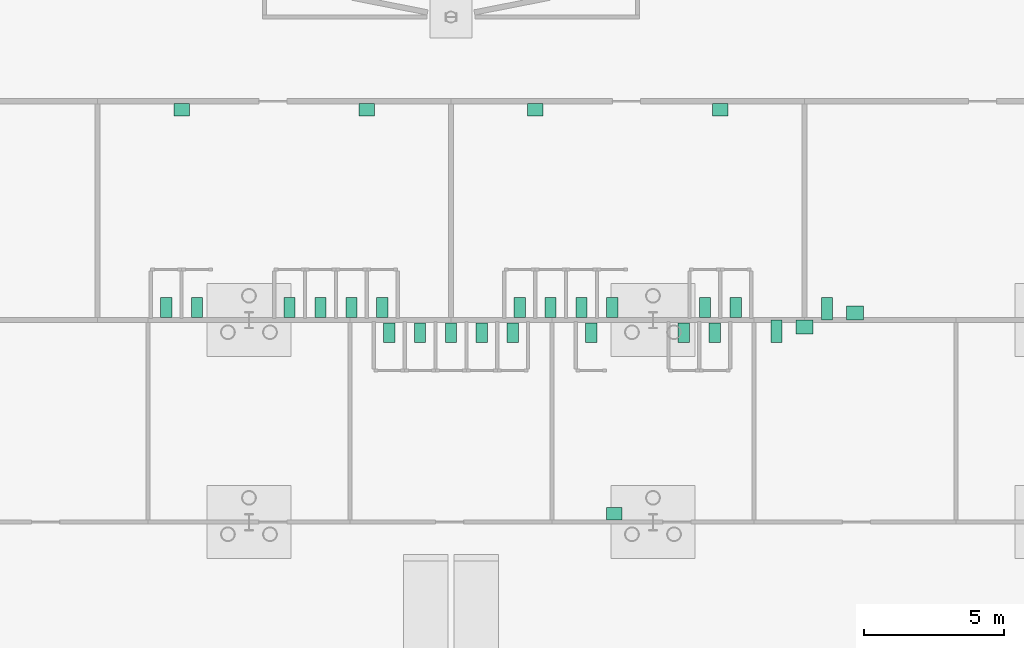
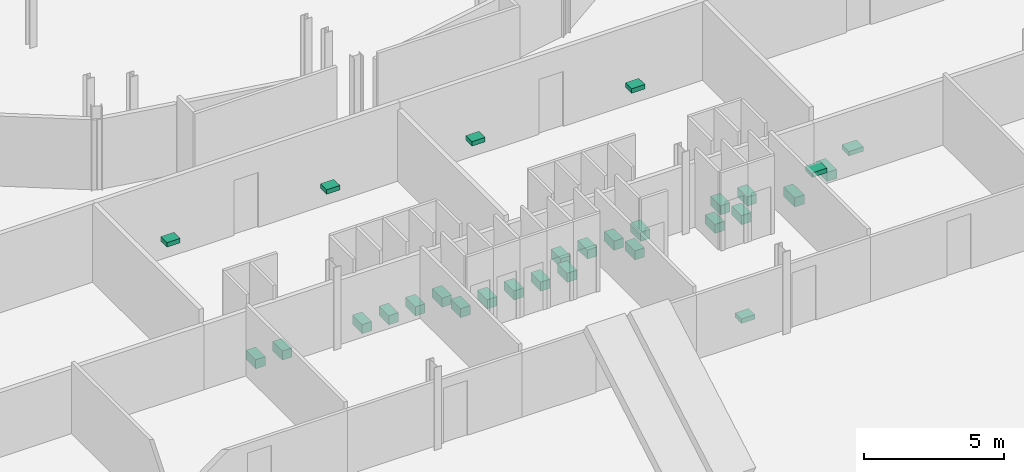
# One storey, part 147 of 148: 29 sanitary terminals.
"""IFC4 building model written with IfcOpenShell, lengths in metres."""

from ifc_helpers import new_model, si_unit, direction, frame, origin, origin_2d, place, context, subcontext, project, spatial, rectangle, extrude, element, save


model = new_model("IFC4")

# Units and contexts
model_context = context("Model", 3, precision=1e-05, world=origin(), true_north=direction((0.0, 1.0)))
body_context = subcontext(model_context, "Body", "Model", "MODEL_VIEW")
ifc_project = project(units=[si_unit("LENGTHUNIT", "METRE"), si_unit("AREAUNIT", "SQUARE_METRE"), si_unit("VOLUMEUNIT", "CUBIC_METRE"), si_unit("PLANEANGLEUNIT", "RADIAN"), si_unit("MASSUNIT", "GRAM", prefix="KILO")], contexts=[model_context])

# Site, building, storey
site_placement = place(None, origin())
site = spatial("IfcSite", under=ifc_project, at=site_placement, CompositionType="ELEMENT")
building_placement = place(site_placement, origin())
building = spatial("IfcBuilding", under=site, at=building_placement, Name="Kupolbacken Congress Centre", CompositionType="ELEMENT")
storey_placement = place(building_placement, origin())
storey = spatial("IfcBuildingStorey", under=building, at=storey_placement, Name="L00", CompositionType="ELEMENT", Elevation=0.0)

# Sanitary terminals
for number, where, z_axis, x_axis, name in (
    (1, (41.0, 49.949951171875, 0.0), (0.0, 0.0, 1.0), (1.0, 0.0, 0.0), "WC pan"),
    (2, (42.10009765625, 49.949951171875, 0.0), (0.0, 0.0, 1.0), (1.0, 0.0, 0.0), "WC pan"),
    (3, (43.199951171875, 49.949951171875, 0.0), (0.0, 0.0, 1.0), (1.0, 0.0, 0.0), "WC pan"),
    (4, (44.300048828125, 49.949951171875, 0.0), (0.0, 0.0, 1.0), (1.0, 0.0, 0.0), "WC pan"),
    (5, (45.39990234375, 49.949951171875, 0.0), (0.0, 0.0, 1.0), (1.0, 0.0, 0.0), "WC pan"),
    (6, (48.199951171875, 49.949951171875, 0.0), (0.0, 0.0, 1.0), (1.0, 0.0, 0.0), "WC pan"),
    (7, (51.5, 49.949951171875, 0.0), (0.0, 0.0, 1.0), (1.0, 0.0, 0.0), "WC pan"),
    (8, (52.60009765625, 49.949951171875, 0.0), (0.0, 0.0, 1.0), (1.0, 0.0, 0.0), "WC pan"),
):
    element("IfcSanitaryTerminal", number, at=place(storey_placement, frame(where, z_axis=z_axis, x_axis=x_axis)), inside=storey, Name=name, PredefinedType="TOILETPAN", context=body_context, shape_type="SweptSolid", body=[
        extrude(rectangle(XDim=0.39990234375, YDim=0.699951171875, at=origin_2d()), origin(), (0.0, 0.0, 1.0), 0.39990234375),
    ])
sanitary_terminal_1_placement = place(storey_placement, frame((49.02490234375, 43.5, 0.7998046875), z_axis=(0.0, 0.0, 1.0), x_axis=(1.0, 0.0, 0.0)))
element("IfcSanitaryTerminal", 9, at=sanitary_terminal_1_placement, inside=storey, Name="Wash basin", PredefinedType="WASHHANDBASIN", context=body_context, shape_type="SweptSolid", body=[
    extrude(rectangle(XDim=0.550048828125, YDim=0.449951171875, at=origin_2d()), origin(), (0.0, 0.0, 1.0), 0.199951171875),
])
for number, where, z_axis, x_axis, name in (
    (10, (33.050048828125, 50.85009765625, 0.0), (0.0, 0.0, 1.0), (1.0, 0.0, 0.0), "WC pan"),
    (11, (34.14990234375, 50.85009765625, 0.0), (0.0, 0.0, 1.0), (1.0, 0.0, 0.0), "WC pan"),
    (12, (37.449951171875, 50.85009765625, 0.0), (0.0, 0.0, 1.0), (1.0, 0.0, 0.0), "WC pan"),
    (13, (38.550048828125, 50.85009765625, 0.0), (0.0, 0.0, 1.0), (1.0, 0.0, 0.0), "WC pan"),
    (14, (39.64990234375, 50.85009765625, 0.0), (0.0, 0.0, 1.0), (1.0, 0.0, 0.0), "WC pan"),
    (15, (40.75, 50.85009765625, 0.0), (0.0, 0.0, 1.0), (1.0, 0.0, 0.0), "WC pan"),
):
    element("IfcSanitaryTerminal", number, at=place(storey_placement, frame(where, z_axis=z_axis, x_axis=x_axis)), inside=storey, Name=name, PredefinedType="TOILETPAN", context=body_context, shape_type="SweptSolid", body=[
        extrude(rectangle(XDim=0.39990234375, YDim=0.699951171875, at=origin_2d()), origin(), (0.0, 0.0, 1.0), 0.39990234375),
    ])
for number, where, z_axis, x_axis, name in (
    (16, (33.60009765625, 57.89990234375, 0.7998046875), (0.0, 0.0, 1.0), (1.0, 0.0, 0.0), "Wash basin"),
    (17, (40.199951171875, 57.89990234375, 0.7998046875), (0.0, 0.0, 1.0), (1.0, 0.0, 0.0), "Wash basin"),
):
    element("IfcSanitaryTerminal", number, at=place(storey_placement, frame(where, z_axis=z_axis, x_axis=x_axis)), inside=storey, Name=name, PredefinedType="WASHHANDBASIN", context=body_context, shape_type="SweptSolid", body=[
        extrude(rectangle(XDim=0.550048828125, YDim=0.449951171875, at=origin_2d()), origin(), (0.0, 0.0, 1.0), 0.199951171875),
    ])
for number, where, z_axis, x_axis, name in (
    (18, (45.64990234375, 50.85009765625, 0.0), (0.0, 0.0, 1.0), (1.0, 0.0, 0.0), "WC pan"),
    (19, (46.75, 50.85009765625, 0.0), (0.0, 0.0, 1.0), (1.0, 0.0, 0.0), "WC pan"),
    (20, (47.85009765625, 50.85009765625, 0.0), (0.0, 0.0, 1.0), (1.0, 0.0, 0.0), "WC pan"),
    (21, (48.949951171875, 50.85009765625, 0.0), (0.0, 0.0, 1.0), (1.0, 0.0, 0.0), "WC pan"),
    (22, (52.25, 50.85009765625, 0.0), (0.0, 0.0, 1.0), (1.0, 0.0, 0.0), "WC pan"),
    (23, (53.35009765625, 50.85009765625, 0.0), (0.0, 0.0, 1.0), (1.0, 0.0, 0.0), "WC pan"),
):
    element("IfcSanitaryTerminal", number, at=place(storey_placement, frame(where, z_axis=z_axis, x_axis=x_axis)), inside=storey, Name=name, PredefinedType="TOILETPAN", context=body_context, shape_type="SweptSolid", body=[
        extrude(rectangle(XDim=0.39990234375, YDim=0.699951171875, at=origin_2d()), origin(), (0.0, 0.0, 1.0), 0.39990234375),
    ])
for number, where, z_axis, x_axis, name in (
    (24, (46.199951171875, 57.89990234375, 0.7998046875), (0.0, 0.0, 1.0), (1.0, 0.0, 0.0), "Wash basin"),
    (25, (52.800048828125, 57.89990234375, 0.7998046875), (0.0, 0.0, 1.0), (1.0, 0.0, 0.0), "Wash basin"),
):
    element("IfcSanitaryTerminal", number, at=place(storey_placement, frame(where, z_axis=z_axis, x_axis=x_axis)), inside=storey, Name=name, PredefinedType="WASHHANDBASIN", context=body_context, shape_type="SweptSolid", body=[
        extrude(rectangle(XDim=0.550048828125, YDim=0.449951171875, at=origin_2d()), origin(), (0.0, 0.0, 1.0), 0.199951171875),
    ])
sanitary_terminal_2_placement = place(storey_placement, frame((54.800048828125, 50.0, 0.0), z_axis=(0.0, 0.0, 1.0), x_axis=(1.0, 0.0, 0.0)))
element("IfcSanitaryTerminal", 26, at=sanitary_terminal_2_placement, inside=storey, Name="Accessible WC pan", PredefinedType="TOILETPAN", context=body_context, shape_type="SweptSolid", body=[
    extrude(rectangle(XDim=0.39990234375, YDim=0.800048828125, at=origin_2d()), origin(), (0.0, 0.0, 1.0), 0.39990234375),
])
sanitary_terminal_3_placement = place(storey_placement, frame((55.800048828125, 50.14990234375, 0.7998046875), z_axis=(0.0, 0.0, 1.0), x_axis=(1.0, 0.0, 0.0)))
element("IfcSanitaryTerminal", 27, at=sanitary_terminal_3_placement, inside=storey, Name="Accessible wash basin", PredefinedType="WASHHANDBASIN", context=body_context, shape_type="SweptSolid", body=[
    extrude(rectangle(XDim=0.60009765625, YDim=0.5, at=origin_2d()), origin(), (0.0, 0.0, 1.0), 0.199951171875),
])
sanitary_terminal_4_placement = place(storey_placement, frame((56.60009765625, 50.800048828125, 0.0), z_axis=(0.0, 0.0, 1.0), x_axis=(1.0, 0.0, 0.0)))
element("IfcSanitaryTerminal", 28, at=sanitary_terminal_4_placement, inside=storey, Name="Accessible WC pan", PredefinedType="TOILETPAN", context=body_context, shape_type="SweptSolid", body=[
    extrude(rectangle(XDim=0.39990234375, YDim=0.800048828125, at=origin_2d()), origin(), (0.0, 0.0, 1.0), 0.39990234375),
])
sanitary_terminal_5_placement = place(storey_placement, frame((57.60009765625, 50.64990234375, 0.7998046875), z_axis=(0.0, 0.0, 1.0), x_axis=(1.0, 0.0, 0.0)))
element("IfcSanitaryTerminal", 29, at=sanitary_terminal_5_placement, inside=storey, Name="Accessible wash basin", PredefinedType="WASHHANDBASIN", context=body_context, shape_type="SweptSolid", body=[
    extrude(rectangle(XDim=0.60009765625, YDim=0.5, at=origin_2d()), origin(), (0.0, 0.0, 1.0), 0.199951171875),
])

save(model, "model.ifc")
